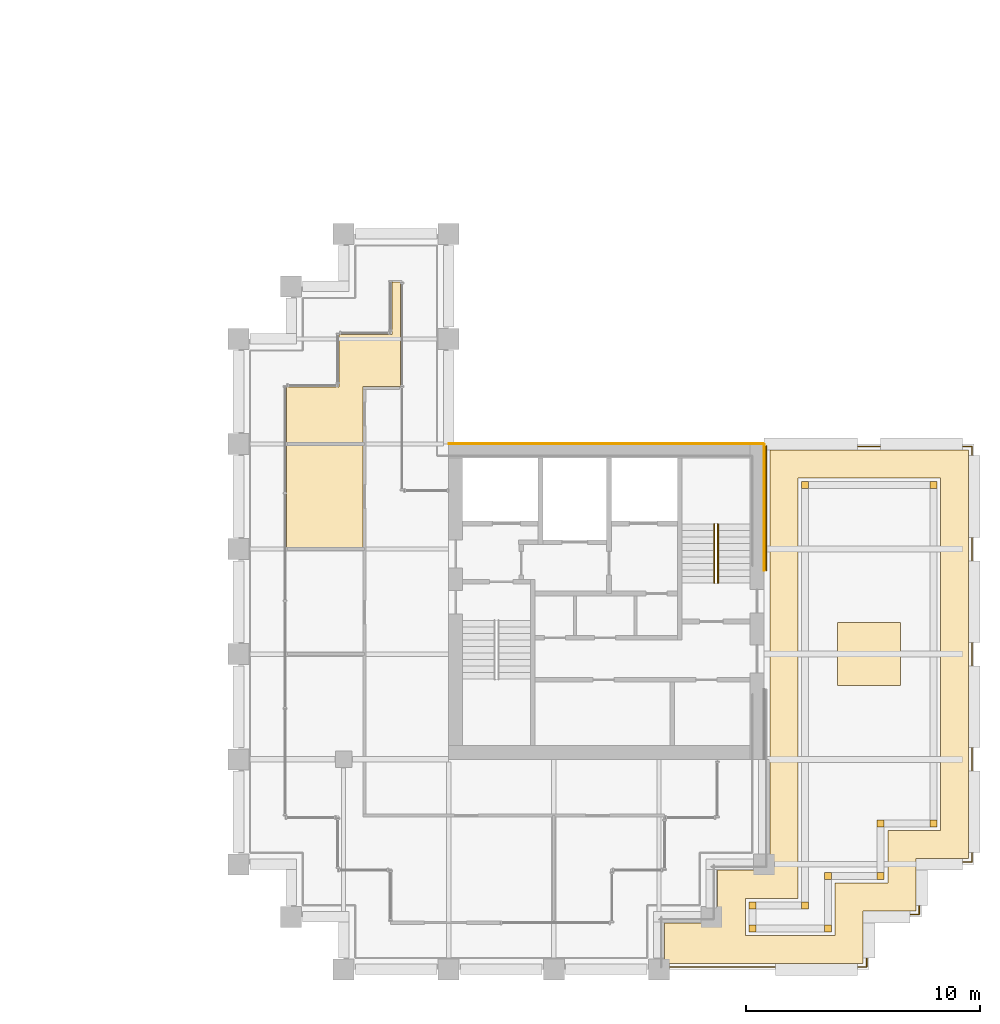
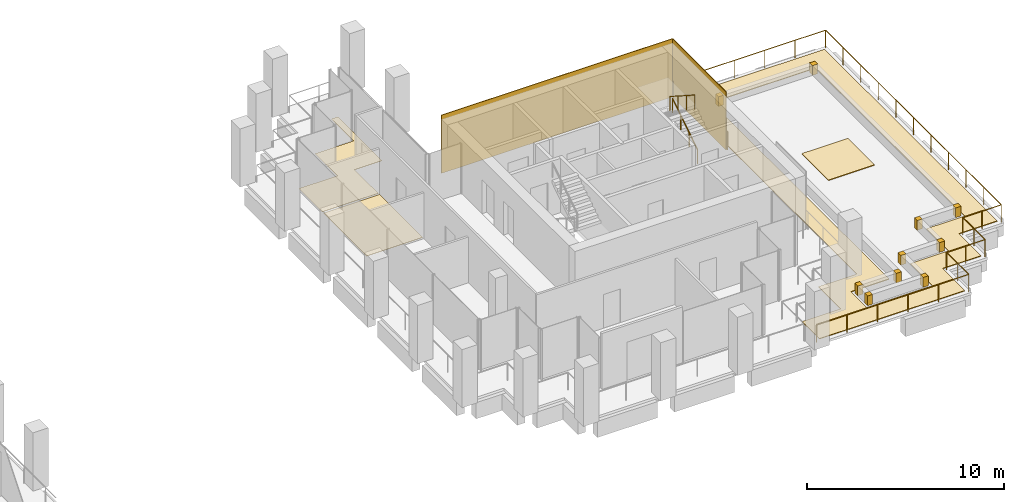
# One storey, part 44 of 44: 16 coverings, 4 railings.
"""IFC4 building model written with IfcOpenShell, lengths in metres."""

from ifc_helpers import new_model, si_unit, direction, frame, origin, origin_2d, place, context, subcontext, project, spatial, polyline, rectangle, circle, outline, extrude, source, transform, mapped, material, layer, layer_set, type_object, element, save


model = new_model("IFC4")

# Units and contexts
model_context = context("Model", 3, precision=1e-05, world=origin(), true_north=direction((0.0, 1.0)))
body_context = subcontext(model_context, "Body", "Model", "MODEL_VIEW")
ifc_project = project(units=[si_unit("LENGTHUNIT", "METRE"), si_unit("AREAUNIT", "SQUARE_METRE"), si_unit("VOLUMEUNIT", "CUBIC_METRE"), si_unit("PLANEANGLEUNIT", "RADIAN"), si_unit("MASSUNIT", "GRAM", prefix="KILO")], contexts=[model_context])

# Site, building, storey
site_placement = place(None, origin())
site = spatial("IfcSite", under=ifc_project, at=site_placement, CompositionType="ELEMENT")
building_placement = place(site_placement, origin())
building = spatial("IfcBuilding", under=site, at=building_placement, Name="Altepetl Exchange Towers", CompositionType="ELEMENT")
storey_placement = place(building_placement, frame((0.0, 0.0, 143.800048828125)))
storey = spatial("IfcBuildingStorey", under=building, at=storey_placement, Name="L35", CompositionType="ELEMENT", Elevation=143.800048828125)

# Coverings
ifc_material_1 = material(Name="Carpet tile")
ifc_layer_1 = layer(ifc_material_1, 0.02001953125)
ifc_layer_set_1 = layer_set([ifc_layer_1], Name="Carpet tile")
covering_type_1 = type_object("IfcCoveringType", Name="Carpet tile floor", PredefinedType="FLOORING", material=ifc_layer_set_1)
covering_1_placement = place(storey_placement, origin())
element("IfcCovering", 1, at=covering_1_placement, inside=storey, type_object=covering_type_1, Name="Meeting room floor finish B35.03", PredefinedType="FLOORING", context=body_context, shape_type="SweptSolid", body=[
    extrude(outline(polyline([(96.5625, 49.5625), (99.83740234375, 49.5625), (99.83740234375, 51.96240234375), (101.4375, 51.96240234375), (101.4375, 56.4375), (101.0625, 56.4375), (101.0625, 54.1875), (98.8125, 54.1875), (98.8125, 51.9375), (96.5625, 51.9375), (96.5625, 49.5625)])), origin(), (0.0, 0.0, 1.0), 0.02001953125),
])
covering_2_placement = place(storey_placement, origin())
element("IfcCovering", 2, at=covering_2_placement, inside=storey, type_object=covering_type_1, Name="Interview room floor finish B35.04", PredefinedType="FLOORING", context=body_context, shape_type="SweptSolid", body=[
    extrude(outline(polyline([(96.5625, 45.0625), (99.83740234375, 45.0625), (99.83740234375, 49.4375), (96.5625, 49.4375), (96.5625, 45.0625)])), origin(), (0.0, 0.0, 1.0), 0.02001953125),
])
ifc_material_2 = material(Name="Concrete C30/37", Category="concrete")
ifc_layer_2 = layer(ifc_material_2, 0.300048828125)
ifc_layer_set_2 = layer_set([ifc_layer_2], Name="Concrete C30/37")
covering_type_2 = type_object("IfcCoveringType", Name="Planter corner block 300 concrete", PredefinedType="CLADDING", material=ifc_layer_set_2)
covering_3_placement = place(storey_placement, origin())
element("IfcCovering", 3, at=covering_3_placement, inside=storey, type_object=covering_type_2, Name="Planter corner block", PredefinedType="CLADDING", context=body_context, shape_type="SweptSolid", body=[
    extrude(outline(polyline([(116.64990234375, 29.89990234375), (116.35009765625, 29.89990234375), (116.35009765625, 29.60009765625), (116.64990234375, 29.60009765625), (116.64990234375, 29.89990234375)])), origin(), (0.0, 0.0, 1.0), 0.599853515625),
])
covering_4_placement = place(storey_placement, origin())
element("IfcCovering", 4, at=covering_4_placement, inside=storey, type_object=covering_type_2, Name="Planter corner block", PredefinedType="CLADDING", context=body_context, shape_type="SweptSolid", body=[
    extrude(outline(polyline([(116.64990234375, 28.89990234375), (116.35009765625, 28.89990234375), (116.35009765625, 28.60009765625), (116.64990234375, 28.60009765625), (116.64990234375, 28.89990234375)])), origin(), (0.0, 0.0, 1.0), 0.599853515625),
])
covering_5_placement = place(storey_placement, origin())
element("IfcCovering", 5, at=covering_5_placement, inside=storey, type_object=covering_type_2, Name="Planter corner block", PredefinedType="CLADDING", context=body_context, shape_type="SweptSolid", body=[
    extrude(outline(polyline([(119.60009765625, 28.89990234375), (119.60009765625, 28.60009765625), (119.89990234375, 28.60009765625), (119.89990234375, 28.89990234375), (119.60009765625, 28.89990234375)])), origin(), (0.0, 0.0, 1.0), 0.599853515625),
])
covering_6_placement = place(storey_placement, origin())
element("IfcCovering", 6, at=covering_6_placement, inside=storey, type_object=covering_type_2, Name="Planter corner block", PredefinedType="CLADDING", context=body_context, shape_type="SweptSolid", body=[
    extrude(outline(polyline([(119.89990234375, 31.14990234375), (119.60009765625, 31.14990234375), (119.60009765625, 30.85009765625), (119.89990234375, 30.85009765625), (119.89990234375, 31.14990234375)])), origin(), (0.0, 0.0, 1.0), 0.599853515625),
])
covering_7_placement = place(storey_placement, origin())
element("IfcCovering", 7, at=covering_7_placement, inside=storey, type_object=covering_type_2, Name="Planter corner block", PredefinedType="CLADDING", context=body_context, shape_type="SweptSolid", body=[
    extrude(outline(polyline([(121.85009765625, 31.14990234375), (121.85009765625, 30.85009765625), (122.14990234375, 30.85009765625), (122.14990234375, 31.14990234375), (121.85009765625, 31.14990234375)])), origin(), (0.0, 0.0, 1.0), 0.599853515625),
])
covering_8_placement = place(storey_placement, origin())
element("IfcCovering", 8, at=covering_8_placement, inside=storey, type_object=covering_type_2, Name="Planter corner block", PredefinedType="CLADDING", context=body_context, shape_type="SweptSolid", body=[
    extrude(outline(polyline([(122.14990234375, 33.39990234375), (121.85009765625, 33.39990234375), (121.85009765625, 33.10009765625), (122.14990234375, 33.10009765625), (122.14990234375, 33.39990234375)])), origin(), (0.0, 0.0, 1.0), 0.599853515625),
])
covering_9_placement = place(storey_placement, origin())
element("IfcCovering", 9, at=covering_9_placement, inside=storey, type_object=covering_type_2, Name="Planter corner block", PredefinedType="CLADDING", context=body_context, shape_type="SweptSolid", body=[
    extrude(outline(polyline([(124.10009765625, 33.39990234375), (124.10009765625, 33.10009765625), (124.39990234375, 33.10009765625), (124.39990234375, 33.39990234375), (124.10009765625, 33.39990234375)])), origin(), (0.0, 0.0, 1.0), 0.599853515625),
])
covering_10_placement = place(storey_placement, origin())
element("IfcCovering", 10, at=covering_10_placement, inside=storey, type_object=covering_type_2, Name="Planter corner block", PredefinedType="CLADDING", context=body_context, shape_type="SweptSolid", body=[
    extrude(outline(polyline([(124.10009765625, 47.60009765625), (124.39990234375, 47.60009765625), (124.39990234375, 47.89990234375), (124.10009765625, 47.89990234375), (124.10009765625, 47.60009765625)])), origin(), (0.0, 0.0, 1.0), 0.599853515625),
])
covering_11_placement = place(storey_placement, origin())
element("IfcCovering", 11, at=covering_11_placement, inside=storey, type_object=covering_type_2, Name="Planter corner block", PredefinedType="CLADDING", context=body_context, shape_type="SweptSolid", body=[
    extrude(outline(polyline([(118.89990234375, 47.60009765625), (118.89990234375, 47.89990234375), (118.60009765625, 47.89990234375), (118.60009765625, 47.60009765625), (118.89990234375, 47.60009765625)])), origin(), (0.0, 0.0, 1.0), 0.599853515625),
])
covering_12_placement = place(storey_placement, origin())
element("IfcCovering", 12, at=covering_12_placement, inside=storey, type_object=covering_type_2, Name="Planter corner block", PredefinedType="CLADDING", context=body_context, shape_type="SweptSolid", body=[
    extrude(outline(polyline([(118.60009765625, 29.60009765625), (118.89990234375, 29.60009765625), (118.89990234375, 29.89990234375), (118.60009765625, 29.89990234375), (118.60009765625, 29.60009765625)])), origin(), (0.0, 0.0, 1.0), 0.599853515625),
])
ifc_material_3 = material(Name="Cantera limestone cladding", Category="masonry")
ifc_layer_3 = layer(ifc_material_3, 0.0400390625)
ifc_layer_set_3 = layer_set([ifc_layer_3], Name="Cantera limestone cladding")
covering_type_3 = type_object("IfcCoveringType", Name="Stone panel 40 cantera", PredefinedType="CLADDING", material=ifc_layer_set_3)
covering_13_placement = place(storey_placement, frame((117.02001953125, 46.78759765625, 0.0), z_axis=(0.0, 0.0, 1.0), x_axis=(0.0, 1.0, 0.0)))
element("IfcCovering", 13, at=covering_13_placement, inside=storey, type_object=covering_type_3, Name="Stone cladding panel", PredefinedType="CLADDING", context=body_context, shape_type="SweptSolid", body=[
    extrude(rectangle(XDim=5.425048828125, YDim=0.0400390625, at=origin_2d()), origin(), (0.0, 0.0, 1.0), 3.60009765625),
])
covering_14_placement = place(storey_placement, frame((110.25, 49.52001953125, 0.0), z_axis=(0.0, 0.0, 1.0), x_axis=(-1.0, 0.0, 0.0)))
element("IfcCovering", 14, at=covering_14_placement, inside=storey, type_object=covering_type_3, Name="Stone cladding panel", PredefinedType="CLADDING", context=body_context, shape_type="SweptSolid", body=[
    extrude(rectangle(XDim=13.5, YDim=0.0400390625, at=origin_2d()), origin(), (0.0, 0.0, 1.0), 3.60009765625),
])
ifc_material_4 = material(Name="Cantera limestone paving", Category="masonry")
ifc_layer_4 = layer(ifc_material_4, 0.0400390625)
ifc_layer_set_4 = layer_set([ifc_layer_4], Name="Cantera limestone paving")
covering_type_4 = type_object("IfcCoveringType", Name="Stone terrace paving 40", PredefinedType="FLOORING", material=ifc_layer_set_4)
covering_15_placement = place(storey_placement, origin())
element("IfcCovering", 15, at=covering_15_placement, inside=storey, type_object=covering_type_4, Name="Terrace paving", PredefinedType="FLOORING", context=body_context, shape_type="SweptSolid", body=[
    extrude(outline(polyline([(123.5, 31.75), (125.75, 31.75), (125.75, 49.25), (117.25, 49.25), (117.25, 31.25), (115.0, 31.25), (115.0, 29.0), (112.75, 29.0), (112.75, 27.25), (121.25, 27.25), (121.25, 29.5), (123.5, 29.5), (123.5, 31.75)]), holes=[polyline([(120.050048828125, 28.449951171875), (120.050048828125, 30.699951171875), (122.300048828125, 30.699951171875), (122.300048828125, 32.949951171875), (124.550048828125, 32.949951171875), (124.550048828125, 48.050048828125), (118.449951171875, 48.050048828125), (118.449951171875, 30.050048828125), (116.199951171875, 30.050048828125), (116.199951171875, 28.449951171875), (120.050048828125, 28.449951171875)])]), origin(), (0.0, 0.0, 1.0), 0.0400390625),
])
covering_16_placement = place(storey_placement, origin())
element("IfcCovering", 16, at=covering_16_placement, inside=storey, type_object=covering_type_4, Name="Terrace paving", PredefinedType="FLOORING", context=body_context, shape_type="SweptSolid", body=[
    extrude(outline(polyline([(120.14990234375, 39.14990234375), (122.85009765625, 39.14990234375), (122.85009765625, 41.85009765625), (120.14990234375, 41.85009765625), (120.14990234375, 39.14990234375)])), origin(), (0.0, 0.0, 1.0), 0.0400390625),
])

# Railings
ifc_material_5 = material(Name="Steel S355", Category="steel")
railing_type_1 = type_object("IfcRailingType", Name="Guard 1100 steel posts and rail", PredefinedType="GUARDRAIL", material=ifc_material_5)
shared_shape_1 = source(origin(), body_context, "Body", "SweptSolid", [
    extrude(circle(Radius=0.02099609375, at=origin_2d()), origin(), (0.0, 0.0, 1.0), 1.052001953125),
])
railing_1_placement = place(storey_placement, frame((112.5, 27.10009765625, 0.0)))
element("IfcRailing", 17, at=railing_1_placement, inside=storey, type_object=railing_type_1, Name="Terrace guard", PredefinedType="GUARDRAIL", context=body_context, shape_type="SweptSolid", body=[
    extrude(circle(Radius=0.02392578125, at=origin_2d()), frame((0.0, 0.0, 1.076171875), z_axis=(1.0, 0.0, 0.0), x_axis=(0.0, 1.0, 0.0)), (0.0, 0.0, 1.0), 8.89990234375),
    extrude(circle(Radius=0.02392578125, at=origin_2d()), frame((8.89990234375, 0.0, 1.076171875), z_axis=(0.0, 1.0, 0.0), x_axis=(-1.0, 0.0, 0.0)), (0.0, 0.0, 1.0), 2.25),
    extrude(circle(Radius=0.02392578125, at=origin_2d()), frame((8.89990234375, 2.25, 1.076171875), z_axis=(1.0, 0.0, 0.0), x_axis=(0.0, 1.0, 0.0)), (0.0, 0.0, 1.0), 2.25),
    extrude(circle(Radius=0.02392578125, at=origin_2d()), frame((11.14990234375, 2.25, 1.076171875), z_axis=(0.0, 1.0, 0.0), x_axis=(-1.0, 0.0, 0.0)), (0.0, 0.0, 1.0), 2.25),
    extrude(circle(Radius=0.02392578125, at=origin_2d()), frame((11.14990234375, 4.5, 1.076171875), z_axis=(1.0, 0.0, 0.0), x_axis=(0.0, 1.0, 0.0)), (0.0, 0.0, 1.0), 2.25),
    extrude(circle(Radius=0.02392578125, at=origin_2d()), frame((13.39990234375, 4.5, 1.076171875), z_axis=(0.0, 1.0, 0.0), x_axis=(-1.0, 0.0, 0.0)), (0.0, 0.0, 1.0), 17.7998046875),
    extrude(circle(Radius=0.02392578125, at=origin_2d()), frame((13.39990234375, 22.2998046875, 1.076171875), z_axis=(-1.0, 0.0, 0.0), x_axis=(0.0, -1.0, 0.0)), (0.0, 0.0, 1.0), 8.89990234375),
    mapped(shared_shape_1, transform((0.0, 0.0, 0.0))),
    mapped(shared_shape_1, transform((1.780029296875, 0.0, 0.0))),
    mapped(shared_shape_1, transform((3.56005859375, 0.0, 0.0))),
    mapped(shared_shape_1, transform((5.33984375, 0.0, 0.0))),
    mapped(shared_shape_1, transform((7.119873046875, 0.0, 0.0))),
    mapped(shared_shape_1, transform((8.89990234375, 0.0, 0.0))),
    mapped(shared_shape_1, transform((8.89990234375, 1.125, 0.0))),
    mapped(shared_shape_1, transform((8.89990234375, 2.25, 0.0))),
    mapped(shared_shape_1, transform((10.02490234375, 2.25, 0.0))),
    mapped(shared_shape_1, transform((11.14990234375, 2.25, 0.0))),
    mapped(shared_shape_1, transform((11.14990234375, 3.375, 0.0))),
    mapped(shared_shape_1, transform((11.14990234375, 4.5, 0.0))),
    mapped(shared_shape_1, transform((12.27490234375, 4.5, 0.0))),
    mapped(shared_shape_1, transform((13.39990234375, 4.5, 0.0))),
    mapped(shared_shape_1, transform((13.39990234375, 6.280029296875, 0.0))),
    mapped(shared_shape_1, transform((13.39990234375, 8.06005859375, 0.0))),
    mapped(shared_shape_1, transform((13.39990234375, 9.83984375, 0.0))),
    mapped(shared_shape_1, transform((13.39990234375, 11.619873046875, 0.0))),
    mapped(shared_shape_1, transform((13.39990234375, 13.39990234375, 0.0))),
    mapped(shared_shape_1, transform((13.39990234375, 15.179931640625, 0.0))),
    mapped(shared_shape_1, transform((13.39990234375, 16.9599609375, 0.0))),
    mapped(shared_shape_1, transform((13.39990234375, 18.73974609375, 0.0))),
    mapped(shared_shape_1, transform((13.39990234375, 20.519775390625, 0.0))),
    mapped(shared_shape_1, transform((13.39990234375, 22.2998046875, 0.0))),
    mapped(shared_shape_1, transform((11.619873046875, 22.2998046875, 0.0))),
    mapped(shared_shape_1, transform((9.83984375, 22.2998046875, 0.0))),
    mapped(shared_shape_1, transform((8.06005859375, 22.2998046875, 0.0))),
    mapped(shared_shape_1, transform((6.280029296875, 22.2998046875, 0.0))),
    mapped(shared_shape_1, transform((4.5, 22.2998046875, 0.0))),
])
railing_2_placement = place(storey_placement, frame((117.10009765625, 49.39990234375, 0.0)))
element("IfcRailing", 18, at=railing_2_placement, inside=storey, type_object=railing_type_1, Name="Terrace guard", PredefinedType="GUARDRAIL", context=body_context, shape_type="SweptSolid", body=[
    extrude(circle(Radius=0.02392578125, at=origin_2d()), frame((0.0, 0.0, 1.076171875), z_axis=(0.0, -1.0, 0.0), x_axis=(1.0, 0.0, 0.0)), (0.0, 0.0, 1.0), 5.298583984375),
    mapped(shared_shape_1, transform((0.0, 0.0, 0.0))),
    mapped(shared_shape_1, transform((0.0, -1.76611328125, 0.0))),
    mapped(shared_shape_1, transform((0.0, -3.532470703125, 0.0))),
    mapped(shared_shape_1, transform((0.0, -5.298583984375, 0.0))),
])
ifc_material_6 = material(Name="Steel", Category="steel")
railing_type_2 = type_object("IfcRailingType", Name="Stair handrail 50 steel tube", PredefinedType="HANDRAIL", material=ifc_material_6)
shared_shape_2 = source(origin(), body_context, "Body", "SweptSolid", [
    extrude(circle(Radius=0.02099609375, at=origin_2d()), origin(), (0.0, 0.0, 1.0), 0.851806640625),
])
railing_3_placement = place(storey_placement, frame((115.030029296875, 43.550048828125, 0.179931640625)))
element("IfcRailing", 19, at=railing_3_placement, inside=storey, type_object=railing_type_2, Name="Stair handrail", PredefinedType="HANDRAIL", context=body_context, shape_type="SweptSolid", body=[
    extrude(circle(Radius=0.02392578125, at=origin_2d()), frame((0.0, 0.0, 0.8759765625), z_axis=(0.0, 0.841162588446, 0.540782303519), x_axis=(-1.0, 0.0, 0.0)), (0.0, 0.0, 1.0), 2.995849609375),
    mapped(shared_shape_2, transform((0.0, 0.0, 0.0))),
    mapped(shared_shape_2, transform((0.0, 0.840087890625, 0.5400390625))),
    mapped(shared_shape_2, transform((0.0, 1.679931640625, 1.080078125))),
    mapped(shared_shape_2, transform((0.0, 2.52001953125, 1.6201171875))),
])
railing_4_placement = place(storey_placement, frame((114.8701171875, 46.070068359375, 1.97998046875)))
element("IfcRailing", 20, at=railing_4_placement, inside=storey, type_object=railing_type_2, Name="Stair handrail", PredefinedType="HANDRAIL", context=body_context, shape_type="SweptSolid", body=[
    extrude(circle(Radius=0.02392578125, at=origin_2d()), frame((0.0, 0.0, 0.8759765625), z_axis=(0.0, -0.841199657755, 0.540724639528), x_axis=(1.0, 0.0, 0.0)), (0.0, 0.0, 1.0), 2.995849609375),
    mapped(shared_shape_2, transform((0.0, 0.0, 0.0))),
    mapped(shared_shape_2, transform((0.0, -0.840087890625, 0.5400390625))),
    mapped(shared_shape_2, transform((0.0, -1.679931640625, 1.079833984375))),
    mapped(shared_shape_2, transform((0.0, -2.52001953125, 1.619873046875))),
])

save(model, "model.ifc")
